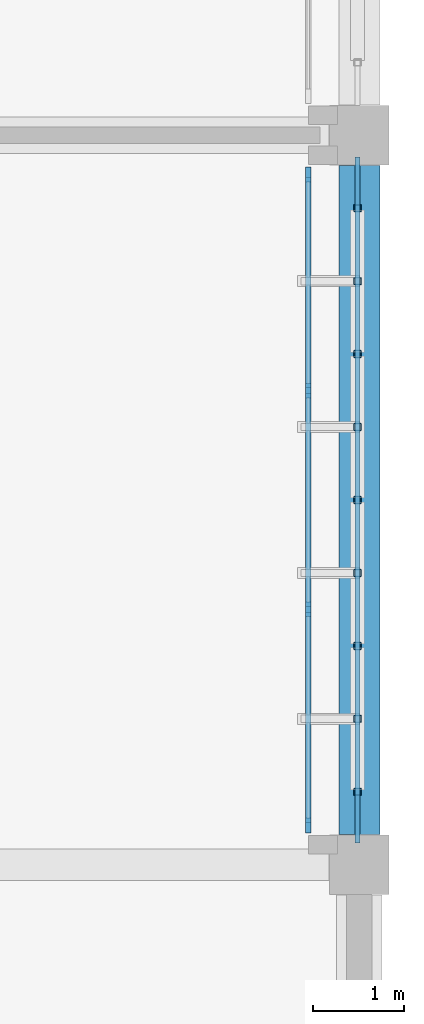
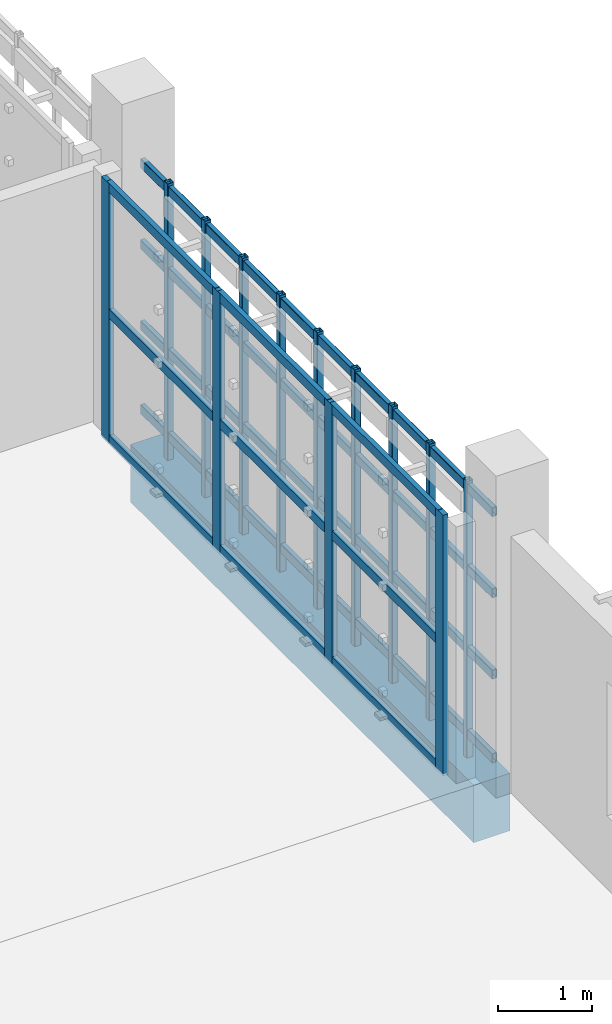
# One storey, part 62 of 137: 26 members, 1 beam, 1 element without a shape of its own.
"""IFC4 building model written with IfcOpenShell, lengths in metres."""

from ifc_helpers import new_model, si_unit, direction, frame, origin, origin_2d, place, context, subcontext, project, spatial, rectangle, hollow_rectangle, extrude, material, layer, layer_set, material_profile, profile_set, type_object, element, aggregate, save


model = new_model("IFC4")

# Units and contexts
model_context = context("Model", 3, precision=1e-05, world=origin(), true_north=direction((0.0, 1.0)))
body_context = subcontext(model_context, "Body", "Model", "MODEL_VIEW")
ifc_project = project(units=[si_unit("LENGTHUNIT", "METRE"), si_unit("AREAUNIT", "SQUARE_METRE"), si_unit("VOLUMEUNIT", "CUBIC_METRE"), si_unit("PLANEANGLEUNIT", "RADIAN"), si_unit("MASSUNIT", "GRAM", prefix="KILO")], contexts=[model_context])

# Site, building, storey
site_placement = place(None, origin())
site = spatial("IfcSite", under=ifc_project, at=site_placement, CompositionType="ELEMENT")
building_placement = place(site_placement, origin())
building = spatial("IfcBuilding", under=site, at=building_placement, Name="Jelvoka-Kovrelna Polytechnic", CompositionType="ELEMENT")
storey_placement = place(building_placement, frame((0.0, 0.0, 9.60009765625)))
storey = spatial("IfcBuildingStorey", under=building, at=storey_placement, Name="L03", CompositionType="ELEMENT", Elevation=9.60009765625)

# Beam
ifc_material_1 = material(Name="Concrete C40/50", Category="concrete")
ifc_material_profile_1 = material_profile(ifc_material_1, rectangle(XDim=0.449951171875, YDim=0.75, at=origin_2d()), Name="RC 450x750")
ifc_profile_set_1 = profile_set([ifc_material_profile_1], Name="Concrete C40/50")
beam_type = type_object("IfcBeamType", Name="Beam_RC_450x750", PredefinedType="BEAM", material=ifc_profile_set_1)
beam_placement = place(storey_placement, frame((200.0, 32.330078125, -0.64013671875), z_axis=(0.0, 1.0, 0.0), x_axis=(-1.0, 0.0, 0.0)))
element("IfcBeam", 1, at=beam_placement, inside=storey, type_object=beam_type, Name="L03 beam 1002", PredefinedType="BEAM", context=body_context, shape_type="SweptSolid", body=[
    extrude(rectangle(XDim=0.449951171875, YDim=0.75, at=origin_2d()), origin(), (0.0, 0.0, 1.0), 7.33984375),
])

# Members
ifc_material_2 = material(Name="Structural steel S355J2H", Category="steel")
ifc_material_profile_2 = material_profile(ifc_material_2, hollow_rectangle(XDim=0.06005859375, YDim=0.1201171875, WallThickness=0.0048828125, InnerFilletRadius=0.0048828125, OuterFilletRadius=0.007568359375, at=origin_2d()), Name="120x60x5.0 RHS")
ifc_profile_set_2 = profile_set([ifc_material_profile_2], Name="Structural steel S355J2H")
member_type_1 = type_object("IfcMemberType", Name="Member_Strut_RHS120", PredefinedType="STRUT", material=ifc_profile_set_2)
for number, where, z_axis, x_axis, name in (
    (2, (199.97998046875, 32.239990234375, 0.079833984375), (0.0, 1.0, 0.0), (-1.0, 0.0, 0.0), "L03 terracotta screen horizontal strut 0404"),
    (3, (199.97998046875, 32.239990234375, 1.17138671875), (0.0, 1.0, 0.0), (-1.0, 0.0, 0.0), "L03 terracotta screen horizontal strut 0405"),
    (4, (199.97998046875, 32.239990234375, 2.230712890625), (0.0, 1.0, 0.0), (-1.0, 0.0, 0.0), "L03 terracotta screen horizontal strut 0406"),
    (5, (199.97998046875, 32.239990234375, 3.289794921875), (0.0, 1.0, 0.0), (-1.0, 0.0, 0.0), "L03 terracotta screen horizontal strut 0407"),
):
    element("IfcMember", number, at=place(storey_placement, frame(where, z_axis=z_axis, x_axis=x_axis)), inside=storey, type_object=member_type_1, Name=name, PredefinedType="STRUT", context=body_context, shape_type="SweptSolid", body=[
        extrude(hollow_rectangle(XDim=0.06005859375, YDim=0.1201171875, WallThickness=0.0048828125, InnerFilletRadius=0.0048828125, OuterFilletRadius=0.007568359375, at=origin_2d()), origin(), (0.0, 0.0, 1.0), 7.52001953125),
    ])
ifc_material_3 = material(Name="Structural steel S355J2H", Category="steel")
ifc_material_profile_3 = material_profile(ifc_material_3, hollow_rectangle(XDim=0.080078125, YDim=0.080078125, WallThickness=0.0048828125, InnerFilletRadius=0.0048828125, OuterFilletRadius=0.007568359375, at=origin_2d()), Name="80x80x5.0 SHS")
ifc_profile_set_3 = profile_set([ifc_material_profile_3], Name="Structural steel S355J2H")
member_type_2 = type_object("IfcMemberType", Name="Member_Strut_SHS80", PredefinedType="STRUT", material=ifc_profile_set_3)
for number, where, z_axis, x_axis, name in (
    (6, (199.97998046875, 32.800048828125, -0.22998046875), (0.0, 0.0, 1.0), (1.0, 0.0, 0.0), "L03 terracotta lattice vertical rib 0408"),
    (7, (199.97998046875, 33.60009765625, -0.22998046875), (0.0, 0.0, 1.0), (1.0, 0.0, 0.0), "L03 terracotta lattice vertical rib 0409"),
    (8, (199.97998046875, 34.39990234375, -0.22998046875), (0.0, 0.0, 1.0), (1.0, 0.0, 0.0), "L03 terracotta lattice vertical rib 0410"),
    (9, (199.97998046875, 35.199951171875, -0.22998046875), (0.0, 0.0, 1.0), (1.0, 0.0, 0.0), "L03 terracotta lattice vertical rib 0411"),
    (10, (199.97998046875, 36.0, -0.22998046875), (0.0, 0.0, 1.0), (1.0, 0.0, 0.0), "L03 terracotta lattice vertical rib 0412"),
    (11, (199.97998046875, 36.800048828125, -0.22998046875), (0.0, 0.0, 1.0), (1.0, 0.0, 0.0), "L03 terracotta lattice vertical rib 0413"),
    (12, (199.97998046875, 37.60009765625, -0.22998046875), (0.0, 0.0, 1.0), (1.0, 0.0, 0.0), "L03 terracotta lattice vertical rib 0414"),
    (13, (199.97998046875, 38.39990234375, -0.22998046875), (0.0, 0.0, 1.0), (1.0, 0.0, 0.0), "L03 terracotta lattice vertical rib 0415"),
    (14, (199.97998046875, 39.199951171875, -0.22998046875), (0.0, 0.0, 1.0), (1.0, 0.0, 0.0), "L03 terracotta lattice vertical rib 0416"),
):
    element("IfcMember", number, at=place(storey_placement, frame(where, z_axis=z_axis, x_axis=x_axis)), inside=storey, type_object=member_type_2, Name=name, PredefinedType="STRUT", context=body_context, shape_type="SweptSolid", body=[
        extrude(hollow_rectangle(XDim=0.080078125, YDim=0.080078125, WallThickness=0.0048828125, InnerFilletRadius=0.0048828125, OuterFilletRadius=0.007568359375, at=origin_2d()), origin(), (0.0, 0.0, 1.0), 3.60986328125),
    ])

# Curtain wall, members
ifc_material_4 = material(Name="Anodised aluminium 6063-T6", Category="aluminium")
ifc_layer = layer(ifc_material_4, 0.159912109375)
ifc_layer_set = layer_set([ifc_layer], Name="Anodised aluminium 6063-T6")
curtain_wall_type = type_object("IfcCurtainWallType", Name="CW_Recessed_A", PredefinedType="NOTDEFINED", material=ifc_layer_set)
curtain_wall_placement = place(storey_placement, origin())
curtain_wall = element("IfcCurtainWall", 15, at=curtain_wall_placement, inside=storey, type_object=curtain_wall_type, Name="L03 glazed curtain wall 060", PredefinedType="NOTDEFINED")
ifc_material_5 = material(Name="Anodised aluminium 6063-T6", Category="aluminium")
ifc_material_profile_4 = material_profile(ifc_material_5, rectangle(XDim=0.06005859375, YDim=0.159912109375, at=origin_2d()), Name="ALU 60x160")
ifc_profile_set_4 = profile_set([ifc_material_profile_4], Name="Anodised aluminium 6063-T6")
member_type_3 = type_object("IfcMemberType", Name="Mullion_M-01", PredefinedType="MULLION", material=ifc_profile_set_4)
member_1_placement = place(storey_placement, frame((199.43994140625, 39.570068359375, -0.02490234375), z_axis=(0.0, 0.0, 1.0), x_axis=(1.0, 0.0, 0.0)))
member_1 = element("IfcMember", 16, at=member_1_placement, type_object=member_type_3, Name="CW-01 mullion 1", PredefinedType="MULLION", context=body_context, shape_type="SweptSolid", body=[
    extrude(rectangle(XDim=0.06005859375, YDim=0.159912109375, at=origin_2d()), origin(), (0.0, 0.0, 1.0), 3.39990234375),
])
member_2_placement = place(storey_placement, frame((199.43994140625, 37.199951171875, -0.02490234375), z_axis=(0.0, 0.0, 1.0), x_axis=(1.0, 0.0, 0.0)))
member_2 = element("IfcMember", 17, at=member_2_placement, type_object=member_type_3, Name="CW-01 mullion 2", PredefinedType="MULLION", context=body_context, shape_type="SweptSolid", body=[
    extrude(rectangle(XDim=0.06005859375, YDim=0.159912109375, at=origin_2d()), origin(), (0.0, 0.0, 1.0), 3.39990234375),
])
member_3_placement = place(storey_placement, frame((199.43994140625, 34.800048828125, -0.02490234375), z_axis=(0.0, 0.0, 1.0), x_axis=(1.0, 0.0, 0.0)))
member_3 = element("IfcMember", 18, at=member_3_placement, type_object=member_type_3, Name="CW-01 mullion 3", PredefinedType="MULLION", context=body_context, shape_type="SweptSolid", body=[
    extrude(rectangle(XDim=0.06005859375, YDim=0.159912109375, at=origin_2d()), origin(), (0.0, 0.0, 1.0), 3.39990234375),
])
member_4_placement = place(storey_placement, frame((199.43994140625, 32.429931640625, -0.02490234375), z_axis=(0.0, 0.0, 1.0), x_axis=(1.0, 0.0, 0.0)))
member_4 = element("IfcMember", 19, at=member_4_placement, type_object=member_type_3, Name="CW-01 mullion 4", PredefinedType="MULLION", context=body_context, shape_type="SweptSolid", body=[
    extrude(rectangle(XDim=0.06005859375, YDim=0.159912109375, at=origin_2d()), origin(), (0.0, 0.0, 1.0), 3.39990234375),
])
ifc_material_6 = material(Name="Anodised aluminium 6063-T6", Category="aluminium")
ifc_material_profile_5 = material_profile(ifc_material_6, rectangle(XDim=0.06005859375, YDim=0.1201171875, at=origin_2d()), Name="ALU 60x120")
ifc_profile_set_5 = profile_set([ifc_material_profile_5], Name="Anodised aluminium 6063-T6")
member_type_4 = type_object("IfcMemberType", Name="Transom_T-01", PredefinedType="USERDEFINED", material=ifc_profile_set_5)
member_5_placement = place(storey_placement, frame((199.43994140625, 39.5400390625, 0.02978515625), z_axis=(0.0, -1.0, 0.0), x_axis=(1.0, 0.0, 0.0)))
member_5 = element("IfcMember", 20, at=member_5_placement, type_object=member_type_4, Name="CW-01 transom 1.1", ObjectType="TRANSOM", PredefinedType="USERDEFINED", context=body_context, shape_type="SweptSolid", body=[
    extrude(rectangle(XDim=0.06005859375, YDim=0.1201171875, at=origin_2d()), origin(), (0.0, 0.0, 1.0), 2.31005859375),
])
member_6_placement = place(storey_placement, frame((199.43994140625, 39.5400390625, 1.6748046875), z_axis=(0.0, -1.0, 0.0), x_axis=(1.0, 0.0, 0.0)))
member_6 = element("IfcMember", 21, at=member_6_placement, type_object=member_type_4, Name="CW-01 transom 1.2", ObjectType="TRANSOM", PredefinedType="USERDEFINED", context=body_context, shape_type="SweptSolid", body=[
    extrude(rectangle(XDim=0.06005859375, YDim=0.1201171875, at=origin_2d()), origin(), (0.0, 0.0, 1.0), 2.31005859375),
])
member_7_placement = place(storey_placement, frame((199.43994140625, 39.5400390625, 3.31982421875), z_axis=(0.0, -1.0, 0.0), x_axis=(1.0, 0.0, 0.0)))
member_7 = element("IfcMember", 22, at=member_7_placement, type_object=member_type_4, Name="CW-01 transom 1.3", ObjectType="TRANSOM", PredefinedType="USERDEFINED", context=body_context, shape_type="SweptSolid", body=[
    extrude(rectangle(XDim=0.06005859375, YDim=0.1201171875, at=origin_2d()), origin(), (0.0, 0.0, 1.0), 2.31005859375),
])
member_8_placement = place(storey_placement, frame((199.43994140625, 37.169921875, 0.02978515625), z_axis=(0.0, -1.0, 0.0), x_axis=(1.0, 0.0, 0.0)))
member_8 = element("IfcMember", 23, at=member_8_placement, type_object=member_type_4, Name="CW-01 transom 2.1", ObjectType="TRANSOM", PredefinedType="USERDEFINED", context=body_context, shape_type="SweptSolid", body=[
    extrude(rectangle(XDim=0.06005859375, YDim=0.1201171875, at=origin_2d()), origin(), (0.0, 0.0, 1.0), 2.33984375),
])
member_9_placement = place(storey_placement, frame((199.43994140625, 37.169921875, 1.6748046875), z_axis=(0.0, -1.0, 0.0), x_axis=(1.0, 0.0, 0.0)))
member_9 = element("IfcMember", 24, at=member_9_placement, type_object=member_type_4, Name="CW-01 transom 2.2", ObjectType="TRANSOM", PredefinedType="USERDEFINED", context=body_context, shape_type="SweptSolid", body=[
    extrude(rectangle(XDim=0.06005859375, YDim=0.1201171875, at=origin_2d()), origin(), (0.0, 0.0, 1.0), 2.33984375),
])
member_10_placement = place(storey_placement, frame((199.43994140625, 37.169921875, 3.31982421875), z_axis=(0.0, -1.0, 0.0), x_axis=(1.0, 0.0, 0.0)))
member_10 = element("IfcMember", 25, at=member_10_placement, type_object=member_type_4, Name="CW-01 transom 2.3", ObjectType="TRANSOM", PredefinedType="USERDEFINED", context=body_context, shape_type="SweptSolid", body=[
    extrude(rectangle(XDim=0.06005859375, YDim=0.1201171875, at=origin_2d()), origin(), (0.0, 0.0, 1.0), 2.33984375),
])
member_11_placement = place(storey_placement, frame((199.43994140625, 34.77001953125, 0.02978515625), z_axis=(0.0, -1.0, 0.0), x_axis=(1.0, 0.0, 0.0)))
member_11 = element("IfcMember", 26, at=member_11_placement, type_object=member_type_4, Name="CW-01 transom 3.1", ObjectType="TRANSOM", PredefinedType="USERDEFINED", context=body_context, shape_type="SweptSolid", body=[
    extrude(rectangle(XDim=0.06005859375, YDim=0.1201171875, at=origin_2d()), origin(), (0.0, 0.0, 1.0), 2.31005859375),
])
member_12_placement = place(storey_placement, frame((199.43994140625, 34.77001953125, 1.6748046875), z_axis=(0.0, -1.0, 0.0), x_axis=(1.0, 0.0, 0.0)))
member_12 = element("IfcMember", 27, at=member_12_placement, type_object=member_type_4, Name="CW-01 transom 3.2", ObjectType="TRANSOM", PredefinedType="USERDEFINED", context=body_context, shape_type="SweptSolid", body=[
    extrude(rectangle(XDim=0.06005859375, YDim=0.1201171875, at=origin_2d()), origin(), (0.0, 0.0, 1.0), 2.31005859375),
])
member_13_placement = place(storey_placement, frame((199.43994140625, 34.77001953125, 3.31982421875), z_axis=(0.0, -1.0, 0.0), x_axis=(1.0, 0.0, 0.0)))
member_13 = element("IfcMember", 28, at=member_13_placement, type_object=member_type_4, Name="CW-01 transom 3.3", ObjectType="TRANSOM", PredefinedType="USERDEFINED", context=body_context, shape_type="SweptSolid", body=[
    extrude(rectangle(XDim=0.06005859375, YDim=0.1201171875, at=origin_2d()), origin(), (0.0, 0.0, 1.0), 2.31005859375),
])
aggregate(curtain_wall, [member_1, member_2, member_3, member_4, member_5, member_6, member_7, member_8, member_9, member_10, member_11, member_12, member_13])

save(model, "model.ifc")
